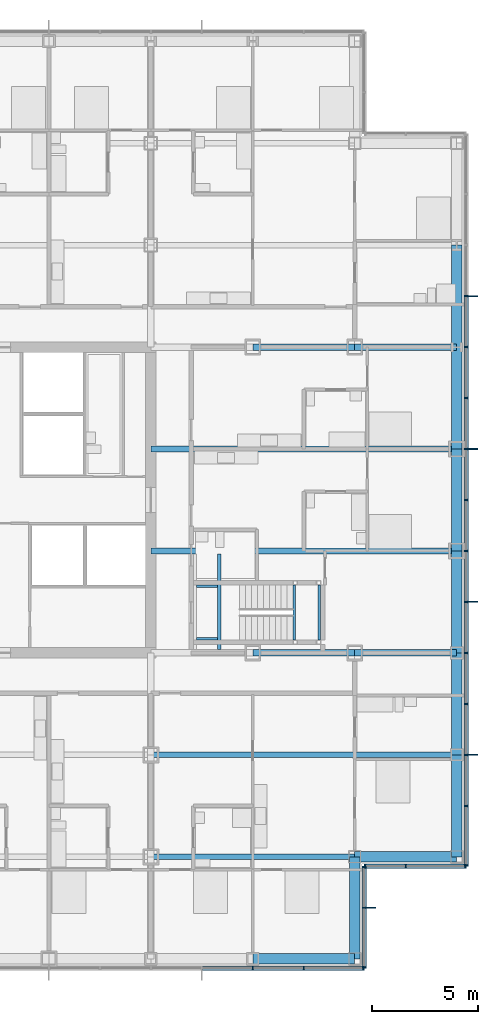
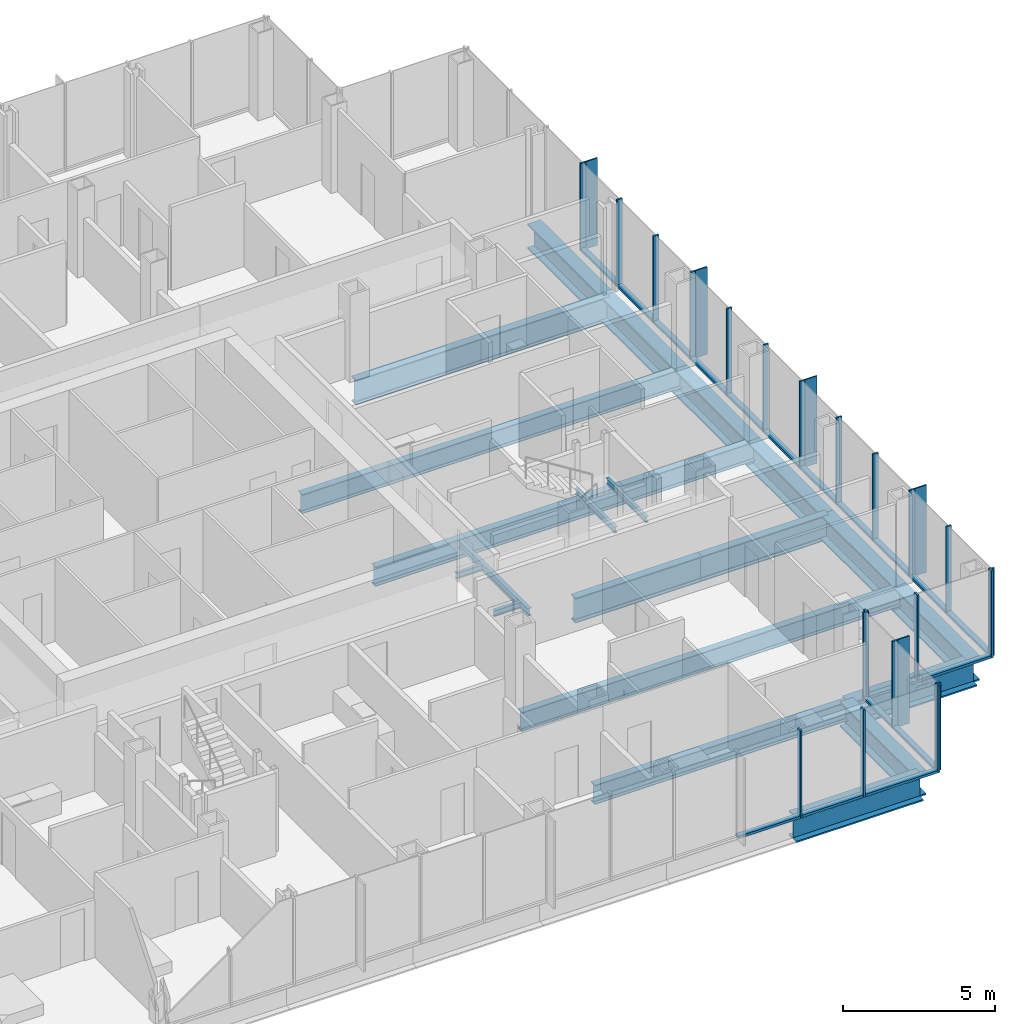
# One storey, part 9 of 21: 44 members, 22 beams, 4 elements without a shape of their own.
"""IFC4 building model written with IfcOpenShell, lengths in metres."""

import ifcopenshell
import ifcopenshell.guid

model = None  # the IFC model being written
_history = None  # IfcOwnerHistory: only IFC2X3 demands one
_inside = {}  # id of a spatial element -> (the spatial element, [elements in it])
_under = {}  # id of a project, library or spatial element -> (it, [spatial elements below it])
_declared = {}  # id of a project -> (the project, [libraries it declares])
_typed = {}  # id of a type object -> (the type object, [elements of that type])
_made_of = {}  # id of a material, layer set ... -> (it, [elements and type objects made of it])


def new_model(schema):
    """Start an empty IFC model of exactly this schema.

    Asked for "IFC4X3", IfcOpenShell would pick the latest addendum, in which some entities
    have other attributes; the version numbers below select the first issue.
    IFC2X3 requires an IfcOwnerHistory on every rooted entity: one is made here for all.
    """
    global model, _history
    if schema == "IFC4X3":
        model = ifcopenshell.file(schema_version=(4, 3, 0, 0))
    else:
        model = ifcopenshell.file(schema=schema)
    _inside.clear()
    _under.clear()
    _declared.clear()
    _typed.clear()
    _made_of.clear()
    _history = None
    if model.schema == "IFC2X3":
        org = make("IfcOrganization", Name="unknown")
        user = make(
            "IfcPersonAndOrganization",
            ThePerson=make("IfcPerson", FamilyName="unknown"),
            TheOrganization=org,
        )
        app = make(
            "IfcApplication",
            ApplicationDeveloper=org,
            Version="unknown",
            ApplicationFullName="unknown",
            ApplicationIdentifier="unknown",
        )
        _history = make(
            "IfcOwnerHistory",
            OwningUser=user,
            OwningApplication=app,
            ChangeAction="ADDED",
            CreationDate=0,
        )
    return model


def make(cls, **values):
    """One entity of the class cls with the attributes given. An attribute that is None is left unset."""
    return model.create_entity(
        cls, **{name: value for name, value in values.items() if value is not None}
    )


def rooted(cls, **values):
    """An entity with a GlobalId (a new one), such as an element, a storey or a relation."""
    return make(cls, GlobalId=ifcopenshell.guid.new(), OwnerHistory=_history, **values)


def si_unit(unit_type, name, prefix=None):
    """IfcSIUnit, for example si_unit("LENGTHUNIT", "METRE", prefix="MILLI")."""
    return make("IfcSIUnit", UnitType=unit_type, Prefix=prefix, Name=name)


def assignment(units):
    """IfcUnitAssignment: the units of a project."""
    return None if units is None else make("IfcUnitAssignment", Units=units)


def point(xyz):
    """IfcCartesianPoint."""
    return None if xyz is None else make("IfcCartesianPoint", Coordinates=xyz)


def direction(xyz):
    """IfcDirection."""
    return None if xyz is None else make("IfcDirection", DirectionRatios=xyz)


def frame(location, z_axis=None, x_axis=None):
    """IfcAxis2Placement3D, a coordinate frame: its origin and axes. An axis left out is left unset."""
    return make(
        "IfcAxis2Placement3D",
        Location=point(location),
        Axis=direction(z_axis),
        RefDirection=direction(x_axis),
    )


def frame_2d(location, x_axis=None):
    """IfcAxis2Placement2D, a coordinate frame in the plane: its origin and x axis."""
    return make(
        "IfcAxis2Placement2D", Location=point(location), RefDirection=direction(x_axis)
    )


def origin():
    """The frame at (0, 0, 0) with its axes left unset."""
    return frame((0.0, 0.0, 0.0))


def origin_2d():
    """The frame at (0, 0) in the plane with its x axis left unset."""
    return frame_2d((0.0, 0.0))


def place(relative_to, where):
    """IfcLocalPlacement: puts the frame where relative to a parent placement (None: the world)."""
    return make(
        "IfcLocalPlacement", PlacementRelTo=relative_to, RelativePlacement=where
    )


def context(
    kind, dimensions, precision=None, world=None, true_north=None, identifier=None
):
    """IfcGeometricRepresentationContext, for example the 3D "Model" context."""
    return make(
        "IfcGeometricRepresentationContext",
        ContextIdentifier=identifier,
        ContextType=kind,
        CoordinateSpaceDimension=dimensions,
        Precision=precision,
        WorldCoordinateSystem=world,
        TrueNorth=true_north,
    )


def subcontext(parent, identifier, kind, view, scale=None):
    """IfcGeometricRepresentationSubContext, for example "Body" below "Model"."""
    return make(
        "IfcGeometricRepresentationSubContext",
        ContextIdentifier=identifier,
        ContextType=kind,
        ParentContext=parent,
        TargetScale=scale,
        TargetView=view,
    )


def project(units=None, contexts=None):
    """IfcProject with its units and contexts."""
    return rooted(
        "IfcProject",
        Name="project",
        RepresentationContexts=contexts,
        UnitsInContext=assignment(units),
    )


def spatial(cls, under=None, at=None, **own):
    """A site, building, storey or space (cls), placed at a placement, below another one or the project."""
    s = rooted(cls, ObjectPlacement=at, **own)
    if under is not None:
        _under.setdefault(under.id(), (under, []))[1].append(s)
    return s


def profile(cls, at=None, kind="AREA", **sizes):
    """A parametric profile (cls). Its sizes go by their IFC names, for example OverallWidth=200.0."""
    return make(cls, ProfileType=kind, Position=at, **sizes)


def rectangle(**sizes):
    """IfcRectangleProfileDef."""
    return profile("IfcRectangleProfileDef", **sizes)


def i_section(**sizes):
    """IfcIShapeProfileDef."""
    return profile("IfcIShapeProfileDef", **sizes)


def extrude(swept, where, along, depth):
    """IfcExtrudedAreaSolid: the profile swept, set in the frame where, extruded along a direction by depth."""
    return make(
        "IfcExtrudedAreaSolid",
        SweptArea=swept,
        Position=where,
        ExtrudedDirection=direction(along),
        Depth=depth,
    )


def shape(context_of_items, identifier, shape_type, items):
    """IfcShapeRepresentation: the items that make up one representation, for example the "Body"."""
    return make(
        "IfcShapeRepresentation",
        ContextOfItems=context_of_items,
        RepresentationIdentifier=identifier,
        RepresentationType=shape_type,
        Items=items,
    )


def material(Name=None, Category=None):
    """IfcMaterial."""
    return make("IfcMaterial", Name=Name, Category=Category)


def material_profile(
    of_material, cross_section, Name=None, Category=None, Priority=None
):
    """IfcMaterialProfile: a cross section and its material."""
    return make(
        "IfcMaterialProfile",
        Name=Name,
        Material=of_material,
        Profile=cross_section,
        Priority=Priority,
        Category=Category,
    )


def profile_set(profiles, Name=None, composite=None):
    """IfcMaterialProfileSet."""
    return make(
        "IfcMaterialProfileSet",
        Name=Name,
        MaterialProfiles=profiles,
        CompositeProfile=composite,
    )


def made_of(thing, what):
    """Note that an element or type object is made of a material, layer set ...; save() writes the relation."""
    if what is not None:
        _made_of.setdefault(what.id(), (what, []))[1].append(thing)
    return thing


def type_object(cls, material=None, **own):
    """A type object (cls), such as IfcWallType, which elements share."""
    return made_of(rooted(cls, **own), material)


def element(
    cls,
    number,
    at=None,
    inside=None,
    cuts=None,
    type_object=None,
    material=None,
    context=None,
    identifier="Body",
    shape_type=None,
    held_by="IfcProductDefinitionShape",
    body=None,
    shapes=None,
    **own,
):
    """One element of the class cls, such as IfcWall. Its Tag is "e" and its number.

    at: its placement. inside: the storey or other place that contains it. cuts: it is an
    opening in that element (IfcRelVoidsElement). A single representation is given by context,
    identifier, shape_type and body (its items); several are given by shapes. held_by: the class
    of the entity that holds the representations. save() writes the other relations.
    """
    e = rooted(cls, Tag="e%d" % number, ObjectPlacement=at, **own)
    if body is not None:
        shapes = [shape(context, identifier, shape_type, body)]
    if shapes is not None:
        e.Representation = make(held_by, Representations=shapes)
    if inside is not None:
        _inside.setdefault(inside.id(), (inside, []))[1].append(e)
    if cuts is not None:
        rooted(
            "IfcRelVoidsElement", RelatingBuildingElement=cuts, RelatedOpeningElement=e
        )
    if type_object is not None:
        _typed.setdefault(type_object.id(), (type_object, []))[1].append(e)
    return made_of(e, material)


def aggregate(whole, parts):
    """IfcRelAggregates: a whole, such as a stair, and the parts it consists of."""
    return rooted("IfcRelAggregates", RelatingObject=whole, RelatedObjects=parts)


def save(model, path):
    """Write the relations noted so far, then the file.

    IfcRelAggregates (storeys below a building ...), IfcRelContainedInSpatialStructure (elements
    in a storey), IfcRelDefinesByType, IfcRelAssociatesMaterial and IfcRelDeclares: one each for
    every whole, place, type object, material and project.
    """
    for whole, parts in _under.values():
        aggregate(whole, parts)
    for where, things in _inside.values():
        rooted(
            "IfcRelContainedInSpatialStructure",
            RelatedElements=things,
            RelatingStructure=where,
        )
    for kind, things in _typed.values():
        rooted("IfcRelDefinesByType", RelatedObjects=things, RelatingType=kind)
    for what, things in _made_of.values():
        rooted("IfcRelAssociatesMaterial", RelatedObjects=things, RelatingMaterial=what)
    for by, libraries in _declared.values():
        rooted("IfcRelDeclares", RelatingContext=by, RelatedDefinitions=libraries)
    model.write(path)


model = new_model("IFC4")

# Units and contexts
model_context = context("Model", 3, precision=1e-05, world=origin(), true_north=direction((0.0, 1.0)))
body_context = subcontext(model_context, "Body", "Model", "MODEL_VIEW")
ifc_project = project(units=[si_unit("LENGTHUNIT", "METRE"), si_unit("AREAUNIT", "SQUARE_METRE"), si_unit("VOLUMEUNIT", "CUBIC_METRE"), si_unit("PLANEANGLEUNIT", "RADIAN"), si_unit("MASSUNIT", "GRAM", prefix="KILO")], contexts=[model_context])

# Site, building, storey
site_placement = place(None, origin())
site = spatial("IfcSite", under=ifc_project, at=site_placement, CompositionType="ELEMENT")
building_placement = place(site_placement, origin())
building = spatial("IfcBuilding", under=site, at=building_placement, Name="Kvirike Care Tower", CompositionType="ELEMENT")
storey_placement = place(building_placement, frame((0.0, 0.0, 55.0)))
storey = spatial("IfcBuildingStorey", under=building, at=storey_placement, Name="L14", CompositionType="ELEMENT", Elevation=55.0)

# Curtain wall, member
ifc_material_1 = material(Name="Anodised aluminium stick system", Category="aluminium")
curtain_wall_type = type_object("IfcCurtainWallType", Name="CW-A STICK CURTAIN WALL", PredefinedType="NOTDEFINED", material=ifc_material_1)
curtain_wall_1_placement = place(storey_placement, origin())
curtain_wall_1 = element("IfcCurtainWall", 1, at=curtain_wall_1_placement, inside=storey, type_object=curtain_wall_type, Name="Curtain wall L14 face 5", PredefinedType="NOTDEFINED")
ifc_material_2 = material(Name="Bronze anodised aluminium fin", Category="aluminium")
ifc_material_profile_1 = material_profile(ifc_material_2, rectangle(XDim=0.050048828125, YDim=0.449951171875, at=origin_2d()), Name="BRONZE FIN 450")
ifc_profile_set_1 = profile_set([ifc_material_profile_1], Name="Bronze anodised aluminium fin")
member_type_1 = type_object("IfcMemberType", Name="BRONZE FIN 450", PredefinedType="USERDEFINED", material=ifc_profile_set_1)
member_1_placement = place(storey_placement, frame((39.175048828125, 16.800048828125, 0.0), z_axis=(0.0, 0.0, 1.0), x_axis=(0.0, 1.0, 0.0)))
member_1 = element("IfcMember", 2, at=member_1_placement, type_object=member_type_1, Name="Bronze fin L14 face 5.2", ObjectType="FIN", PredefinedType="USERDEFINED", context=body_context, shape_type="SweptSolid", body=[
    extrude(rectangle(XDim=0.050048828125, YDim=0.449951171875, at=origin_2d()), origin(), (0.0, 0.0, 1.0), 3.5),
])

# Curtain wall, members
curtain_wall_2_placement = place(storey_placement, origin())
curtain_wall_2 = element("IfcCurtainWall", 3, at=curtain_wall_2_placement, inside=storey, type_object=curtain_wall_type, Name="Curtain wall L14 face 7", PredefinedType="NOTDEFINED")
member_2_placement = place(storey_placement, frame((43.97509765625, 24.0, 0.0), z_axis=(0.0, 0.0, 1.0), x_axis=(0.0, 1.0, 0.0)))
member_2 = element("IfcMember", 4, at=member_2_placement, type_object=member_type_1, Name="Bronze fin L14 face 7.3", ObjectType="FIN", PredefinedType="USERDEFINED", context=body_context, shape_type="SweptSolid", body=[
    extrude(rectangle(XDim=0.050048828125, YDim=0.449951171875, at=origin_2d()), origin(), (0.0, 0.0, 1.0), 3.5),
])
member_3_placement = place(storey_placement, frame((43.97509765625, 31.199951171875, 0.0), z_axis=(0.0, 0.0, 1.0), x_axis=(0.0, 1.0, 0.0)))
member_3 = element("IfcMember", 5, at=member_3_placement, type_object=member_type_1, Name="Bronze fin L14 face 7.6", ObjectType="FIN", PredefinedType="USERDEFINED", context=body_context, shape_type="SweptSolid", body=[
    extrude(rectangle(XDim=0.050048828125, YDim=0.449951171875, at=origin_2d()), origin(), (0.0, 0.0, 1.0), 3.5),
])
member_4_placement = place(storey_placement, frame((43.97509765625, 38.39990234375, 0.0), z_axis=(0.0, 0.0, 1.0), x_axis=(0.0, 1.0, 0.0)))
member_4 = element("IfcMember", 6, at=member_4_placement, type_object=member_type_1, Name="Bronze fin L14 face 7.9", ObjectType="FIN", PredefinedType="USERDEFINED", context=body_context, shape_type="SweptSolid", body=[
    extrude(rectangle(XDim=0.050048828125, YDim=0.449951171875, at=origin_2d()), origin(), (0.0, 0.0, 1.0), 3.5),
])
member_5_placement = place(storey_placement, frame((43.97509765625, 45.60009765625, 0.0), z_axis=(0.0, 0.0, 1.0), x_axis=(0.0, 1.0, 0.0)))
member_5 = element("IfcMember", 7, at=member_5_placement, type_object=member_type_1, Name="Bronze fin L14 face 7.12", ObjectType="FIN", PredefinedType="USERDEFINED", context=body_context, shape_type="SweptSolid", body=[
    extrude(rectangle(XDim=0.050048828125, YDim=0.449951171875, at=origin_2d()), origin(), (0.0, 0.0, 1.0), 3.5),
])

curtain_wall_3_placement = place(storey_placement, origin())
curtain_wall_3 = element("IfcCurtainWall", 8, at=curtain_wall_3_placement, inside=storey, type_object=curtain_wall_type, Name="Curtain wall L14 face 4", PredefinedType="NOTDEFINED")
ifc_material_3 = material(Name="Bronze anodised aluminium mullion", Category="aluminium")
ifc_material_profile_2 = material_profile(ifc_material_3, rectangle(XDim=0.06494140625, YDim=0.199951171875, at=origin_2d()), Name="CW-A MULLION 65x200")
ifc_profile_set_2 = profile_set([ifc_material_profile_2], Name="Bronze anodised aluminium mullion")
member_type_2 = type_object("IfcMemberType", Name="CW-A MULLION 65x200", PredefinedType="MULLION", material=ifc_profile_set_2)
member_6_placement = place(storey_placement, frame((33.60009765625, 13.949951171875, 0.0), z_axis=(0.0, 0.0, 1.0), x_axis=(1.0, 0.0, 0.0)))
member_6 = element("IfcMember", 9, at=member_6_placement, type_object=member_type_2, Name="CW-A mullion L14 face 4.13", PredefinedType="MULLION", context=body_context, shape_type="SweptSolid", body=[
    extrude(rectangle(XDim=0.06494140625, YDim=0.199951171875, at=origin_2d()), origin(), (0.0, 0.0, 1.0), 3.5),
])
member_7_placement = place(storey_placement, frame((36.0, 13.949951171875, 0.0), z_axis=(0.0, 0.0, 1.0), x_axis=(1.0, 0.0, 0.0)))
member_7 = element("IfcMember", 10, at=member_7_placement, type_object=member_type_2, Name="CW-A mullion L14 face 4.14", PredefinedType="MULLION", context=body_context, shape_type="SweptSolid", body=[
    extrude(rectangle(XDim=0.06494140625, YDim=0.199951171875, at=origin_2d()), origin(), (0.0, 0.0, 1.0), 3.5),
])
member_8_placement = place(storey_placement, frame((38.8173828125, 13.949951171875, 0.0), z_axis=(0.0, 0.0, 1.0), x_axis=(1.0, 0.0, 0.0)))
member_8 = element("IfcMember", 11, at=member_8_placement, type_object=member_type_2, Name="CW-A mullion L14 face 4.15", PredefinedType="MULLION", context=body_context, shape_type="SweptSolid", body=[
    extrude(rectangle(XDim=0.06494140625, YDim=0.199951171875, at=origin_2d()), origin(), (0.0, 0.0, 1.0), 3.5),
])

# Member
member_9_placement = place(storey_placement, frame((38.85009765625, 13.982421875, 0.0), z_axis=(0.0, 0.0, 1.0), x_axis=(0.0, 1.0, 0.0)))
member_9 = element("IfcMember", 12, at=member_9_placement, type_object=member_type_2, Name="CW-A mullion L14 face 5.1", PredefinedType="MULLION", context=body_context, shape_type="SweptSolid", body=[
    extrude(rectangle(XDim=0.06494140625, YDim=0.199951171875, at=origin_2d()), origin(), (0.0, 0.0, 1.0), 3.5),
])

member_10_placement = place(storey_placement, frame((38.85009765625, 16.800048828125, 0.0), z_axis=(0.0, 0.0, 1.0), x_axis=(0.0, 1.0, 0.0)))
member_10 = element("IfcMember", 13, at=member_10_placement, type_object=member_type_2, Name="CW-A mullion L14 face 5.2", PredefinedType="MULLION", context=body_context, shape_type="SweptSolid", body=[
    extrude(rectangle(XDim=0.06494140625, YDim=0.199951171875, at=origin_2d()), origin(), (0.0, 0.0, 1.0), 3.5),
])

member_11_placement = place(storey_placement, frame((38.85009765625, 18.717529296875, 0.0), z_axis=(0.0, 0.0, 1.0), x_axis=(0.0, 1.0, 0.0)))
member_11 = element("IfcMember", 14, at=member_11_placement, type_object=member_type_2, Name="CW-A mullion L14 face 5.3", PredefinedType="MULLION", context=body_context, shape_type="SweptSolid", body=[
    extrude(rectangle(XDim=0.06494140625, YDim=0.199951171875, at=origin_2d()), origin(), (0.0, 0.0, 1.0), 3.5),
])

# Curtain wall, members
curtain_wall_4_placement = place(storey_placement, origin())
curtain_wall_4 = element("IfcCurtainWall", 15, at=curtain_wall_4_placement, inside=storey, type_object=curtain_wall_type, Name="Curtain wall L14 face 6", PredefinedType="NOTDEFINED")
member_12_placement = place(storey_placement, frame((38.882568359375, 18.75, 0.0), z_axis=(0.0, 0.0, 1.0), x_axis=(1.0, 0.0, 0.0)))
member_12 = element("IfcMember", 16, at=member_12_placement, type_object=member_type_2, Name="CW-A mullion L14 face 6.1", PredefinedType="MULLION", context=body_context, shape_type="SweptSolid", body=[
    extrude(rectangle(XDim=0.06494140625, YDim=0.199951171875, at=origin_2d()), origin(), (0.0, 0.0, 1.0), 3.5),
])
member_13_placement = place(storey_placement, frame((40.800048828125, 18.75, 0.0), z_axis=(0.0, 0.0, 1.0), x_axis=(1.0, 0.0, 0.0)))
member_13 = element("IfcMember", 17, at=member_13_placement, type_object=member_type_2, Name="CW-A mullion L14 face 6.2", PredefinedType="MULLION", context=body_context, shape_type="SweptSolid", body=[
    extrude(rectangle(XDim=0.06494140625, YDim=0.199951171875, at=origin_2d()), origin(), (0.0, 0.0, 1.0), 3.5),
])
member_14_placement = place(storey_placement, frame((43.617431640625, 18.75, 0.0), z_axis=(0.0, 0.0, 1.0), x_axis=(1.0, 0.0, 0.0)))
member_14 = element("IfcMember", 18, at=member_14_placement, type_object=member_type_2, Name="CW-A mullion L14 face 6.3", PredefinedType="MULLION", context=body_context, shape_type="SweptSolid", body=[
    extrude(rectangle(XDim=0.06494140625, YDim=0.199951171875, at=origin_2d()), origin(), (0.0, 0.0, 1.0), 3.5),
])

# Member
member_15_placement = place(storey_placement, frame((43.64990234375, 18.782470703125, 0.0), z_axis=(0.0, 0.0, 1.0), x_axis=(0.0, 1.0, 0.0)))
member_15 = element("IfcMember", 19, at=member_15_placement, type_object=member_type_2, Name="CW-A mullion L14 face 7.1", PredefinedType="MULLION", context=body_context, shape_type="SweptSolid", body=[
    extrude(rectangle(XDim=0.06494140625, YDim=0.199951171875, at=origin_2d()), origin(), (0.0, 0.0, 1.0), 3.5),
])

member_16_placement = place(storey_placement, frame((43.64990234375, 21.60009765625, 0.0), z_axis=(0.0, 0.0, 1.0), x_axis=(0.0, 1.0, 0.0)))
member_16 = element("IfcMember", 20, at=member_16_placement, type_object=member_type_2, Name="CW-A mullion L14 face 7.2", PredefinedType="MULLION", context=body_context, shape_type="SweptSolid", body=[
    extrude(rectangle(XDim=0.06494140625, YDim=0.199951171875, at=origin_2d()), origin(), (0.0, 0.0, 1.0), 3.5),
])

member_17_placement = place(storey_placement, frame((43.64990234375, 24.0, 0.0), z_axis=(0.0, 0.0, 1.0), x_axis=(0.0, 1.0, 0.0)))
member_17 = element("IfcMember", 21, at=member_17_placement, type_object=member_type_2, Name="CW-A mullion L14 face 7.3", PredefinedType="MULLION", context=body_context, shape_type="SweptSolid", body=[
    extrude(rectangle(XDim=0.06494140625, YDim=0.199951171875, at=origin_2d()), origin(), (0.0, 0.0, 1.0), 3.5),
])

member_18_placement = place(storey_placement, frame((43.64990234375, 26.39990234375, 0.0), z_axis=(0.0, 0.0, 1.0), x_axis=(0.0, 1.0, 0.0)))
member_18 = element("IfcMember", 22, at=member_18_placement, type_object=member_type_2, Name="CW-A mullion L14 face 7.4", PredefinedType="MULLION", context=body_context, shape_type="SweptSolid", body=[
    extrude(rectangle(XDim=0.06494140625, YDim=0.199951171875, at=origin_2d()), origin(), (0.0, 0.0, 1.0), 3.5),
])

member_19_placement = place(storey_placement, frame((43.64990234375, 28.800048828125, 0.0), z_axis=(0.0, 0.0, 1.0), x_axis=(0.0, 1.0, 0.0)))
member_19 = element("IfcMember", 23, at=member_19_placement, type_object=member_type_2, Name="CW-A mullion L14 face 7.5", PredefinedType="MULLION", context=body_context, shape_type="SweptSolid", body=[
    extrude(rectangle(XDim=0.06494140625, YDim=0.199951171875, at=origin_2d()), origin(), (0.0, 0.0, 1.0), 3.5),
])

member_20_placement = place(storey_placement, frame((43.64990234375, 31.199951171875, 0.0), z_axis=(0.0, 0.0, 1.0), x_axis=(0.0, 1.0, 0.0)))
member_20 = element("IfcMember", 24, at=member_20_placement, type_object=member_type_2, Name="CW-A mullion L14 face 7.6", PredefinedType="MULLION", context=body_context, shape_type="SweptSolid", body=[
    extrude(rectangle(XDim=0.06494140625, YDim=0.199951171875, at=origin_2d()), origin(), (0.0, 0.0, 1.0), 3.5),
])

member_21_placement = place(storey_placement, frame((43.64990234375, 33.60009765625, 0.0), z_axis=(0.0, 0.0, 1.0), x_axis=(0.0, 1.0, 0.0)))
member_21 = element("IfcMember", 25, at=member_21_placement, type_object=member_type_2, Name="CW-A mullion L14 face 7.7", PredefinedType="MULLION", context=body_context, shape_type="SweptSolid", body=[
    extrude(rectangle(XDim=0.06494140625, YDim=0.199951171875, at=origin_2d()), origin(), (0.0, 0.0, 1.0), 3.5),
])

member_22_placement = place(storey_placement, frame((43.64990234375, 36.0, 0.0), z_axis=(0.0, 0.0, 1.0), x_axis=(0.0, 1.0, 0.0)))
member_22 = element("IfcMember", 26, at=member_22_placement, type_object=member_type_2, Name="CW-A mullion L14 face 7.8", PredefinedType="MULLION", context=body_context, shape_type="SweptSolid", body=[
    extrude(rectangle(XDim=0.06494140625, YDim=0.199951171875, at=origin_2d()), origin(), (0.0, 0.0, 1.0), 3.5),
])

member_23_placement = place(storey_placement, frame((43.64990234375, 38.39990234375, 0.0), z_axis=(0.0, 0.0, 1.0), x_axis=(0.0, 1.0, 0.0)))
member_23 = element("IfcMember", 27, at=member_23_placement, type_object=member_type_2, Name="CW-A mullion L14 face 7.9", PredefinedType="MULLION", context=body_context, shape_type="SweptSolid", body=[
    extrude(rectangle(XDim=0.06494140625, YDim=0.199951171875, at=origin_2d()), origin(), (0.0, 0.0, 1.0), 3.5),
])

member_24_placement = place(storey_placement, frame((43.64990234375, 40.800048828125, 0.0), z_axis=(0.0, 0.0, 1.0), x_axis=(0.0, 1.0, 0.0)))
member_24 = element("IfcMember", 28, at=member_24_placement, type_object=member_type_2, Name="CW-A mullion L14 face 7.10", PredefinedType="MULLION", context=body_context, shape_type="SweptSolid", body=[
    extrude(rectangle(XDim=0.06494140625, YDim=0.199951171875, at=origin_2d()), origin(), (0.0, 0.0, 1.0), 3.5),
])

member_25_placement = place(storey_placement, frame((43.64990234375, 43.199951171875, 0.0), z_axis=(0.0, 0.0, 1.0), x_axis=(0.0, 1.0, 0.0)))
member_25 = element("IfcMember", 29, at=member_25_placement, type_object=member_type_2, Name="CW-A mullion L14 face 7.11", PredefinedType="MULLION", context=body_context, shape_type="SweptSolid", body=[
    extrude(rectangle(XDim=0.06494140625, YDim=0.199951171875, at=origin_2d()), origin(), (0.0, 0.0, 1.0), 3.5),
])

member_26_placement = place(storey_placement, frame((43.64990234375, 45.60009765625, 0.0), z_axis=(0.0, 0.0, 1.0), x_axis=(0.0, 1.0, 0.0)))
member_26 = element("IfcMember", 30, at=member_26_placement, type_object=member_type_2, Name="CW-A mullion L14 face 7.12", PredefinedType="MULLION", context=body_context, shape_type="SweptSolid", body=[
    extrude(rectangle(XDim=0.06494140625, YDim=0.199951171875, at=origin_2d()), origin(), (0.0, 0.0, 1.0), 3.5),
])

ifc_material_4 = material(Name="Bronze anodised aluminium transom", Category="aluminium")
ifc_material_profile_3 = material_profile(ifc_material_4, rectangle(XDim=0.199951171875, YDim=0.10009765625, at=origin_2d()), Name="CW-A TRANSOM 200x100")
ifc_profile_set_3 = profile_set([ifc_material_profile_3], Name="Bronze anodised aluminium transom")
member_type_3 = type_object("IfcMemberType", Name="CW-A TRANSOM 200x100", PredefinedType="USERDEFINED", material=ifc_profile_set_3)
member_27_placement = place(storey_placement, frame((31.232421875, 13.949951171875, 0.050048828125), z_axis=(1.0, 0.0, 0.0), x_axis=(0.0, 1.0, 0.0)))
member_27 = element("IfcMember", 31, at=member_27_placement, type_object=member_type_3, Name="CW-A sill transom L14 face 4.12", ObjectType="TRANSOM", PredefinedType="USERDEFINED", context=body_context, shape_type="SweptSolid", body=[
    extrude(rectangle(XDim=0.199951171875, YDim=0.10009765625, at=origin_2d()), origin(), (0.0, 0.0, 1.0), 2.3349609375),
])

member_28_placement = place(storey_placement, frame((33.632568359375, 13.949951171875, 0.050048828125), z_axis=(1.0, 0.0, 0.0), x_axis=(0.0, 1.0, 0.0)))
member_28 = element("IfcMember", 32, at=member_28_placement, type_object=member_type_3, Name="CW-A sill transom L14 face 4.13", ObjectType="TRANSOM", PredefinedType="USERDEFINED", context=body_context, shape_type="SweptSolid", body=[
    extrude(rectangle(XDim=0.199951171875, YDim=0.10009765625, at=origin_2d()), origin(), (0.0, 0.0, 1.0), 2.3349609375),
])

member_29_placement = place(storey_placement, frame((36.032470703125, 13.949951171875, 0.050048828125), z_axis=(1.0, 0.0, 0.0), x_axis=(0.0, 1.0, 0.0)))
member_29 = element("IfcMember", 33, at=member_29_placement, type_object=member_type_3, Name="CW-A sill transom L14 face 4.14", ObjectType="TRANSOM", PredefinedType="USERDEFINED", context=body_context, shape_type="SweptSolid", body=[
    extrude(rectangle(XDim=0.199951171875, YDim=0.10009765625, at=origin_2d()), origin(), (0.0, 0.0, 1.0), 2.75244140625),
])

aggregate(curtain_wall_3, [member_6, member_7, member_8, member_27, member_28, member_29])

member_30_placement = place(storey_placement, frame((38.85009765625, 14.014892578125, 0.050048828125), z_axis=(0.0, 1.0, 0.0), x_axis=(-1.0, 0.0, 0.0)))
member_30 = element("IfcMember", 34, at=member_30_placement, type_object=member_type_3, Name="CW-A sill transom L14 face 5.1", ObjectType="TRANSOM", PredefinedType="USERDEFINED", context=body_context, shape_type="SweptSolid", body=[
    extrude(rectangle(XDim=0.199951171875, YDim=0.10009765625, at=origin_2d()), origin(), (0.0, 0.0, 1.0), 2.752685546875),
])

member_31_placement = place(storey_placement, frame((38.85009765625, 16.83251953125, 0.050048828125), z_axis=(0.0, 1.0, 0.0), x_axis=(-1.0, 0.0, 0.0)))
member_31 = element("IfcMember", 35, at=member_31_placement, type_object=member_type_3, Name="CW-A sill transom L14 face 5.2", ObjectType="TRANSOM", PredefinedType="USERDEFINED", context=body_context, shape_type="SweptSolid", body=[
    extrude(rectangle(XDim=0.199951171875, YDim=0.10009765625, at=origin_2d()), origin(), (0.0, 0.0, 1.0), 1.8525390625),
])

aggregate(curtain_wall_1, [member_9, member_10, member_1, member_11, member_30, member_31])

member_32_placement = place(storey_placement, frame((38.9150390625, 18.75, 0.050048828125), z_axis=(1.0, 0.0, 0.0), x_axis=(0.0, 1.0, 0.0)))
member_32 = element("IfcMember", 36, at=member_32_placement, type_object=member_type_3, Name="CW-A sill transom L14 face 6.1", ObjectType="TRANSOM", PredefinedType="USERDEFINED", context=body_context, shape_type="SweptSolid", body=[
    extrude(rectangle(XDim=0.199951171875, YDim=0.10009765625, at=origin_2d()), origin(), (0.0, 0.0, 1.0), 1.8525390625),
])

member_33_placement = place(storey_placement, frame((40.83251953125, 18.75, 0.050048828125), z_axis=(1.0, 0.0, 0.0), x_axis=(0.0, 1.0, 0.0)))
member_33 = element("IfcMember", 37, at=member_33_placement, type_object=member_type_3, Name="CW-A sill transom L14 face 6.2", ObjectType="TRANSOM", PredefinedType="USERDEFINED", context=body_context, shape_type="SweptSolid", body=[
    extrude(rectangle(XDim=0.199951171875, YDim=0.10009765625, at=origin_2d()), origin(), (0.0, 0.0, 1.0), 2.75244140625),
])

aggregate(curtain_wall_4, [member_12, member_13, member_14, member_32, member_33])

member_34_placement = place(storey_placement, frame((43.64990234375, 18.81494140625, 0.050048828125), z_axis=(0.0, 1.0, 0.0), x_axis=(-1.0, 0.0, 0.0)))
member_34 = element("IfcMember", 38, at=member_34_placement, type_object=member_type_3, Name="CW-A sill transom L14 face 7.1", ObjectType="TRANSOM", PredefinedType="USERDEFINED", context=body_context, shape_type="SweptSolid", body=[
    extrude(rectangle(XDim=0.199951171875, YDim=0.10009765625, at=origin_2d()), origin(), (0.0, 0.0, 1.0), 2.75244140625),
])

member_35_placement = place(storey_placement, frame((43.64990234375, 21.632568359375, 0.050048828125), z_axis=(0.0, 1.0, 0.0), x_axis=(-1.0, 0.0, 0.0)))
member_35 = element("IfcMember", 39, at=member_35_placement, type_object=member_type_3, Name="CW-A sill transom L14 face 7.2", ObjectType="TRANSOM", PredefinedType="USERDEFINED", context=body_context, shape_type="SweptSolid", body=[
    extrude(rectangle(XDim=0.199951171875, YDim=0.10009765625, at=origin_2d()), origin(), (0.0, 0.0, 1.0), 2.3349609375),
])

member_36_placement = place(storey_placement, frame((43.64990234375, 24.032470703125, 0.050048828125), z_axis=(0.0, 1.0, 0.0), x_axis=(-1.0, 0.0, 0.0)))
member_36 = element("IfcMember", 40, at=member_36_placement, type_object=member_type_3, Name="CW-A sill transom L14 face 7.3", ObjectType="TRANSOM", PredefinedType="USERDEFINED", context=body_context, shape_type="SweptSolid", body=[
    extrude(rectangle(XDim=0.199951171875, YDim=0.10009765625, at=origin_2d()), origin(), (0.0, 0.0, 1.0), 2.3349609375),
])

member_37_placement = place(storey_placement, frame((43.64990234375, 26.4326171875, 0.050048828125), z_axis=(0.0, 1.0, 0.0), x_axis=(-1.0, 0.0, 0.0)))
member_37 = element("IfcMember", 41, at=member_37_placement, type_object=member_type_3, Name="CW-A sill transom L14 face 7.4", ObjectType="TRANSOM", PredefinedType="USERDEFINED", context=body_context, shape_type="SweptSolid", body=[
    extrude(rectangle(XDim=0.199951171875, YDim=0.10009765625, at=origin_2d()), origin(), (0.0, 0.0, 1.0), 2.3349609375),
])

member_38_placement = place(storey_placement, frame((43.64990234375, 28.83251953125, 0.050048828125), z_axis=(0.0, 1.0, 0.0), x_axis=(-1.0, 0.0, 0.0)))
member_38 = element("IfcMember", 42, at=member_38_placement, type_object=member_type_3, Name="CW-A sill transom L14 face 7.5", ObjectType="TRANSOM", PredefinedType="USERDEFINED", context=body_context, shape_type="SweptSolid", body=[
    extrude(rectangle(XDim=0.199951171875, YDim=0.10009765625, at=origin_2d()), origin(), (0.0, 0.0, 1.0), 2.3349609375),
])

member_39_placement = place(storey_placement, frame((43.64990234375, 31.232421875, 0.050048828125), z_axis=(0.0, 1.0, 0.0), x_axis=(-1.0, 0.0, 0.0)))
member_39 = element("IfcMember", 43, at=member_39_placement, type_object=member_type_3, Name="CW-A sill transom L14 face 7.6", ObjectType="TRANSOM", PredefinedType="USERDEFINED", context=body_context, shape_type="SweptSolid", body=[
    extrude(rectangle(XDim=0.199951171875, YDim=0.10009765625, at=origin_2d()), origin(), (0.0, 0.0, 1.0), 2.3349609375),
])

member_40_placement = place(storey_placement, frame((43.64990234375, 33.632568359375, 0.050048828125), z_axis=(0.0, 1.0, 0.0), x_axis=(-1.0, 0.0, 0.0)))
member_40 = element("IfcMember", 44, at=member_40_placement, type_object=member_type_3, Name="CW-A sill transom L14 face 7.7", ObjectType="TRANSOM", PredefinedType="USERDEFINED", context=body_context, shape_type="SweptSolid", body=[
    extrude(rectangle(XDim=0.199951171875, YDim=0.10009765625, at=origin_2d()), origin(), (0.0, 0.0, 1.0), 2.3349609375),
])

member_41_placement = place(storey_placement, frame((43.64990234375, 36.032470703125, 0.050048828125), z_axis=(0.0, 1.0, 0.0), x_axis=(-1.0, 0.0, 0.0)))
member_41 = element("IfcMember", 45, at=member_41_placement, type_object=member_type_3, Name="CW-A sill transom L14 face 7.8", ObjectType="TRANSOM", PredefinedType="USERDEFINED", context=body_context, shape_type="SweptSolid", body=[
    extrude(rectangle(XDim=0.199951171875, YDim=0.10009765625, at=origin_2d()), origin(), (0.0, 0.0, 1.0), 2.3349609375),
])

member_42_placement = place(storey_placement, frame((43.64990234375, 38.4326171875, 0.050048828125), z_axis=(0.0, 1.0, 0.0), x_axis=(-1.0, 0.0, 0.0)))
member_42 = element("IfcMember", 46, at=member_42_placement, type_object=member_type_3, Name="CW-A sill transom L14 face 7.9", ObjectType="TRANSOM", PredefinedType="USERDEFINED", context=body_context, shape_type="SweptSolid", body=[
    extrude(rectangle(XDim=0.199951171875, YDim=0.10009765625, at=origin_2d()), origin(), (0.0, 0.0, 1.0), 2.3349609375),
])

member_43_placement = place(storey_placement, frame((43.64990234375, 40.83251953125, 0.050048828125), z_axis=(0.0, 1.0, 0.0), x_axis=(-1.0, 0.0, 0.0)))
member_43 = element("IfcMember", 47, at=member_43_placement, type_object=member_type_3, Name="CW-A sill transom L14 face 7.10", ObjectType="TRANSOM", PredefinedType="USERDEFINED", context=body_context, shape_type="SweptSolid", body=[
    extrude(rectangle(XDim=0.199951171875, YDim=0.10009765625, at=origin_2d()), origin(), (0.0, 0.0, 1.0), 2.3349609375),
])

member_44_placement = place(storey_placement, frame((43.64990234375, 43.232421875, 0.050048828125), z_axis=(0.0, 1.0, 0.0), x_axis=(-1.0, 0.0, 0.0)))
member_44 = element("IfcMember", 48, at=member_44_placement, type_object=member_type_3, Name="CW-A sill transom L14 face 7.11", ObjectType="TRANSOM", PredefinedType="USERDEFINED", context=body_context, shape_type="SweptSolid", body=[
    extrude(rectangle(XDim=0.199951171875, YDim=0.10009765625, at=origin_2d()), origin(), (0.0, 0.0, 1.0), 2.3349609375),
])

aggregate(curtain_wall_2, [member_15, member_16, member_17, member_2, member_18, member_19, member_20, member_3, member_21, member_22, member_23, member_4, member_24, member_25, member_26, member_5, member_34, member_35, member_36, member_37, member_38, member_39, member_40, member_41, member_42, member_43, member_44])

# Beams
ifc_material_5 = material(Name="Steel S355", Category="steel")
ifc_material_profile_4 = material_profile(ifc_material_5, i_section(OverallWidth=0.26806640625, OverallDepth=0.77001953125, WebThickness=0.015625, FlangeThickness=0.025390625, FilletRadius=0.01708984375, at=origin_2d()), Name="IPE 750x196")
ifc_profile_set_4 = profile_set([ifc_material_profile_4], Name="Steel S355")
beam_type_1 = type_object("IfcBeamType", Name="FLOOR BEAM IPE 750x196", PredefinedType="BEAM", material=ifc_profile_set_4)
beam_1_placement = place(storey_placement, frame((28.800048828125, 19.199951171875, -0.554931640625), z_axis=(1.0, 0.0, 0.0), x_axis=(0.0, 1.0, 0.0)))
element("IfcBeam", 49, at=beam_1_placement, inside=storey, type_object=beam_type_1, Name="Floor Beam E9-E11 L14", PredefinedType="BEAM", context=body_context, shape_type="SweptSolid", body=[
    extrude(i_section(OverallWidth=0.26806640625, OverallDepth=0.77001953125, WebThickness=0.015625, FlangeThickness=0.025390625, FilletRadius=0.01708984375, at=origin_2d()), origin(), (0.0, 0.0, 1.0), 9.599853515625),
])
for number, where, z_axis, x_axis, name in (
    (50, (28.800048828125, 24.0, -0.554931640625), (1.0, 0.0, 0.0), (0.0, 1.0, 0.0), "Floor Beam F9-F12 L14"),
    (51, (28.800048828125, 33.60009765625, -0.554931640625), (1.0, 0.0, 0.0), (0.0, 1.0, 0.0), "Floor Beam H9-H12 L14"),
    (52, (28.800048828125, 38.39990234375, -0.554931640625), (1.0, 0.0, 0.0), (0.0, 1.0, 0.0), "Floor Beam J9-J12 L14"),
):
    element("IfcBeam", number, at=place(storey_placement, frame(where, z_axis=z_axis, x_axis=x_axis)), inside=storey, type_object=beam_type_1, Name=name, PredefinedType="BEAM", context=body_context, shape_type="SweptSolid", body=[
        extrude(i_section(OverallWidth=0.26806640625, OverallDepth=0.77001953125, WebThickness=0.015625, FlangeThickness=0.025390625, FilletRadius=0.01708984375, at=origin_2d()), origin(), (0.0, 0.0, 1.0), 14.39990234375),
    ])
ifc_material_6 = material(Name="Steel S355", Category="steel")
ifc_material_profile_5 = material_profile(ifc_material_6, i_section(OverallWidth=0.300048828125, OverallDepth=1.0, WebThickness=0.01904296875, FlangeThickness=0.035888671875, FilletRadius=0.030029296875, at=origin_2d()), Name="HE 1000 B")
ifc_profile_set_5 = profile_set([ifc_material_profile_5], Name="Steel S355")
beam_type_2 = type_object("IfcBeamType", Name="FRAME BEAM HE 1000 B", PredefinedType="BEAM", material=ifc_profile_set_5)
beam_2_placement = place(storey_placement, frame((33.60009765625, 28.800048828125, -0.669921875), z_axis=(1.0, 0.0, 0.0), x_axis=(0.0, 1.0, 0.0)))
element("IfcBeam", 53, at=beam_2_placement, inside=storey, type_object=beam_type_2, Name="Frame Beam G10-G11 L14", PredefinedType="BEAM", context=body_context, shape_type="SweptSolid", body=[
    extrude(i_section(OverallWidth=0.300048828125, OverallDepth=1.0, WebThickness=0.01904296875, FlangeThickness=0.035888671875, FilletRadius=0.030029296875, at=origin_2d()), origin(), (0.0, 0.0, 1.0), 4.7998046875),
])
beam_3_placement = place(storey_placement, frame((38.39990234375, 28.800048828125, -0.669921875), z_axis=(1.0, 0.0, 0.0), x_axis=(0.0, 1.0, 0.0)))
element("IfcBeam", 54, at=beam_3_placement, inside=storey, type_object=beam_type_2, Name="Frame Beam G11-G12 L14", PredefinedType="BEAM", context=body_context, shape_type="SweptSolid", body=[
    extrude(i_section(OverallWidth=0.300048828125, OverallDepth=1.0, WebThickness=0.01904296875, FlangeThickness=0.035888671875, FilletRadius=0.030029296875, at=origin_2d()), origin(), (0.0, 0.0, 1.0), 4.800048828125),
])
beam_4_placement = place(storey_placement, frame((33.60009765625, 43.199951171875, -0.669921875), z_axis=(1.0, 0.0, 0.0), x_axis=(0.0, 1.0, 0.0)))
element("IfcBeam", 55, at=beam_4_placement, inside=storey, type_object=beam_type_2, Name="Frame Beam K10-K11 L14", PredefinedType="BEAM", context=body_context, shape_type="SweptSolid", body=[
    extrude(i_section(OverallWidth=0.300048828125, OverallDepth=1.0, WebThickness=0.01904296875, FlangeThickness=0.035888671875, FilletRadius=0.030029296875, at=origin_2d()), origin(), (0.0, 0.0, 1.0), 4.7998046875),
])
beam_5_placement = place(storey_placement, frame((38.39990234375, 43.199951171875, -0.669921875), z_axis=(1.0, 0.0, 0.0), x_axis=(0.0, 1.0, 0.0)))
element("IfcBeam", 56, at=beam_5_placement, inside=storey, type_object=beam_type_2, Name="Frame Beam K11-K12 L14", PredefinedType="BEAM", context=body_context, shape_type="SweptSolid", body=[
    extrude(i_section(OverallWidth=0.300048828125, OverallDepth=1.0, WebThickness=0.01904296875, FlangeThickness=0.035888671875, FilletRadius=0.030029296875, at=origin_2d()), origin(), (0.0, 0.0, 1.0), 4.800048828125),
])
ifc_material_7 = material(Name="Steel S355", Category="steel")
ifc_material_profile_6 = material_profile(ifc_material_7, i_section(OverallWidth=0.5, OverallDepth=1.0, WebThickness=0.030029296875, FlangeThickness=0.06005859375, at=origin_2d()), Name="PG 1000x500x30x60")
ifc_profile_set_6 = profile_set([ifc_material_profile_6], Name="Steel S355")
beam_type_3 = type_object("IfcBeamType", Name="SPANDREL PG 1000x500x30x60", PredefinedType="SPANDREL", material=ifc_profile_set_6)
beam_6_placement = place(storey_placement, frame((33.60009765625, 14.39990234375, -0.669921875), z_axis=(1.0, 0.0, 0.0), x_axis=(0.0, 1.0, 0.0)))
element("IfcBeam", 57, at=beam_6_placement, inside=storey, type_object=beam_type_3, Name="Spandrel D10-D11 L14", PredefinedType="SPANDREL", context=body_context, shape_type="SweptSolid", body=[
    extrude(i_section(OverallWidth=0.5, OverallDepth=1.0, WebThickness=0.030029296875, FlangeThickness=0.06005859375, at=origin_2d()), origin(), (0.0, 0.0, 1.0), 4.7998046875),
])
for number, where, z_axis, x_axis, name in (
    (58, (38.39990234375, 19.199951171875, -0.669921875), (1.0, 0.0, 0.0), (0.0, 1.0, 0.0), "Spandrel E11-E12 L14"),
    (59, (38.39990234375, 14.39990234375, -0.669921875), (0.0, 1.0, 0.0), (-1.0, 0.0, 0.0), "Spandrel D11-E11 L14"),
    (60, (43.199951171875, 19.199951171875, -0.669921875), (0.0, 1.0, 0.0), (-1.0, 0.0, 0.0), "Spandrel E12-F12 L14"),
    (61, (43.199951171875, 24.0, -0.669921875), (0.0, 1.0, 0.0), (-1.0, 0.0, 0.0), "Spandrel F12-G12 L14"),
    (62, (43.199951171875, 28.800048828125, -0.669921875), (0.0, 1.0, 0.0), (-1.0, 0.0, 0.0), "Spandrel G12-H12 L14"),
):
    element("IfcBeam", number, at=place(storey_placement, frame(where, z_axis=z_axis, x_axis=x_axis)), inside=storey, type_object=beam_type_3, Name=name, PredefinedType="SPANDREL", context=body_context, shape_type="SweptSolid", body=[
        extrude(i_section(OverallWidth=0.5, OverallDepth=1.0, WebThickness=0.030029296875, FlangeThickness=0.06005859375, at=origin_2d()), origin(), (0.0, 0.0, 1.0), 4.800048828125),
    ])
beam_7_placement = place(storey_placement, frame((43.199951171875, 33.60009765625, -0.669921875), z_axis=(0.0, 1.0, 0.0), x_axis=(-1.0, 0.0, 0.0)))
element("IfcBeam", 63, at=beam_7_placement, inside=storey, type_object=beam_type_3, Name="Spandrel H12-J12 L14", PredefinedType="SPANDREL", context=body_context, shape_type="SweptSolid", body=[
    extrude(i_section(OverallWidth=0.5, OverallDepth=1.0, WebThickness=0.030029296875, FlangeThickness=0.06005859375, at=origin_2d()), origin(), (0.0, 0.0, 1.0), 4.7998046875),
])
for number, where, z_axis, x_axis, name in (
    (64, (43.199951171875, 38.39990234375, -0.669921875), (0.0, 1.0, 0.0), (-1.0, 0.0, 0.0), "Spandrel J12-K12 L14"),
    (65, (43.199951171875, 43.199951171875, -0.669921875), (0.0, 1.0, 0.0), (-1.0, 0.0, 0.0), "Spandrel K12-L12 L14"),
):
    element("IfcBeam", number, at=place(storey_placement, frame(where, z_axis=z_axis, x_axis=x_axis)), inside=storey, type_object=beam_type_3, Name=name, PredefinedType="SPANDREL", context=body_context, shape_type="SweptSolid", body=[
        extrude(i_section(OverallWidth=0.5, OverallDepth=1.0, WebThickness=0.030029296875, FlangeThickness=0.06005859375, at=origin_2d()), origin(), (0.0, 0.0, 1.0), 4.800048828125),
    ])
ifc_material_8 = material(Name="Steel S355", Category="steel")
ifc_material_profile_7 = material_profile(ifc_material_8, i_section(OverallWidth=0.1201171875, OverallDepth=0.239990234375, WebThickness=0.006103515625, FlangeThickness=0.009765625, FilletRadius=0.014892578125, at=origin_2d()), Name="IPE 240")
ifc_profile_set_7 = profile_set([ifc_material_profile_7], Name="Steel S355")
beam_type_4 = type_object("IfcBeamType", Name="STAIR LANDING BEAM IPE 240", PredefinedType="BEAM", material=ifc_profile_set_7)
for number, where, z_axis, x_axis, name in (
    (66, (36.739990234375, 29.39990234375, 1.429931640625), (0.0, 1.0, 0.0), (-1.0, 0.0, 0.0), "Stair 2 landing beam back L14"),
    (67, (35.56005859375, 29.39990234375, 1.429931640625), (0.0, 1.0, 0.0), (-1.0, 0.0, 0.0), "Stair 2 landing beam front L14"),
):
    element("IfcBeam", number, at=place(storey_placement, frame(where, z_axis=z_axis, x_axis=x_axis)), inside=storey, type_object=beam_type_4, Name=name, PredefinedType="BEAM", context=body_context, shape_type="SweptSolid", body=[
        extrude(i_section(OverallWidth=0.1201171875, OverallDepth=0.239990234375, WebThickness=0.006103515625, FlangeThickness=0.009765625, FilletRadius=0.014892578125, at=origin_2d()), origin(), (0.0, 0.0, 1.0), 2.60009765625),
    ])
for number, where, z_axis, x_axis, name in (
    (68, (31.949951171875, 29.4599609375, -0.320068359375), (-1.0, 0.0, 0.0), (0.0, -1.0, 0.0), "Stair 2 landing edge beam 1 L14"),
    (69, (31.949951171875, 31.93994140625, -0.320068359375), (-1.0, 0.0, 0.0), (0.0, -1.0, 0.0), "Stair 2 landing edge beam 2 L14"),
):
    element("IfcBeam", number, at=place(storey_placement, frame(where, z_axis=z_axis, x_axis=x_axis)), inside=storey, type_object=beam_type_4, Name=name, PredefinedType="BEAM", context=body_context, shape_type="SweptSolid", body=[
        extrude(i_section(OverallWidth=0.1201171875, OverallDepth=0.239990234375, WebThickness=0.006103515625, FlangeThickness=0.009765625, FilletRadius=0.014892578125, at=origin_2d()), origin(), (0.0, 0.0, 1.0), 1.0),
    ])
ifc_material_9 = material(Name="Steel S355", Category="steel")
ifc_material_profile_8 = material_profile(ifc_material_9, i_section(OverallWidth=0.14990234375, OverallDepth=0.300048828125, WebThickness=0.007080078125, FlangeThickness=0.0107421875, FilletRadius=0.014892578125, at=origin_2d()), Name="IPE 300")
ifc_profile_set_8 = profile_set([ifc_material_profile_8], Name="Steel S355")
beam_type_5 = type_object("IfcBeamType", Name="STAIR TRIMMER IPE 300", PredefinedType="BEAM", material=ifc_profile_set_8)
beam_8_placement = place(storey_placement, frame((32.02490234375, 28.949951171875, -0.35009765625), z_axis=(0.0, 1.0, 0.0), x_axis=(-1.0, 0.0, 0.0)))
element("IfcBeam", 70, at=beam_8_placement, inside=storey, type_object=beam_type_5, Name="Stair 2 trimmer 1 L14", PredefinedType="BEAM", context=body_context, shape_type="SweptSolid", body=[
    extrude(i_section(OverallWidth=0.14990234375, OverallDepth=0.300048828125, WebThickness=0.007080078125, FlangeThickness=0.0107421875, FilletRadius=0.014892578125, at=origin_2d()), origin(), (0.0, 0.0, 1.0), 4.51611328125),
])

save(model, "model.ifc")
